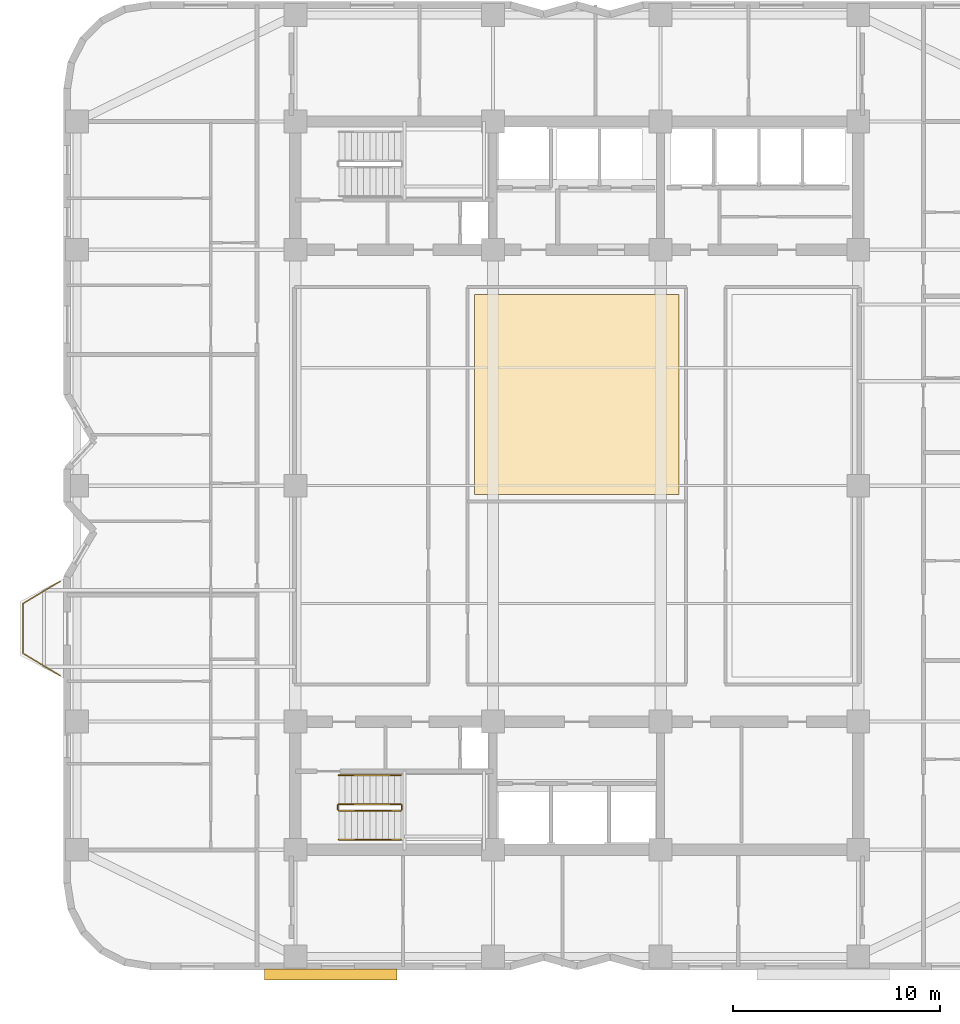
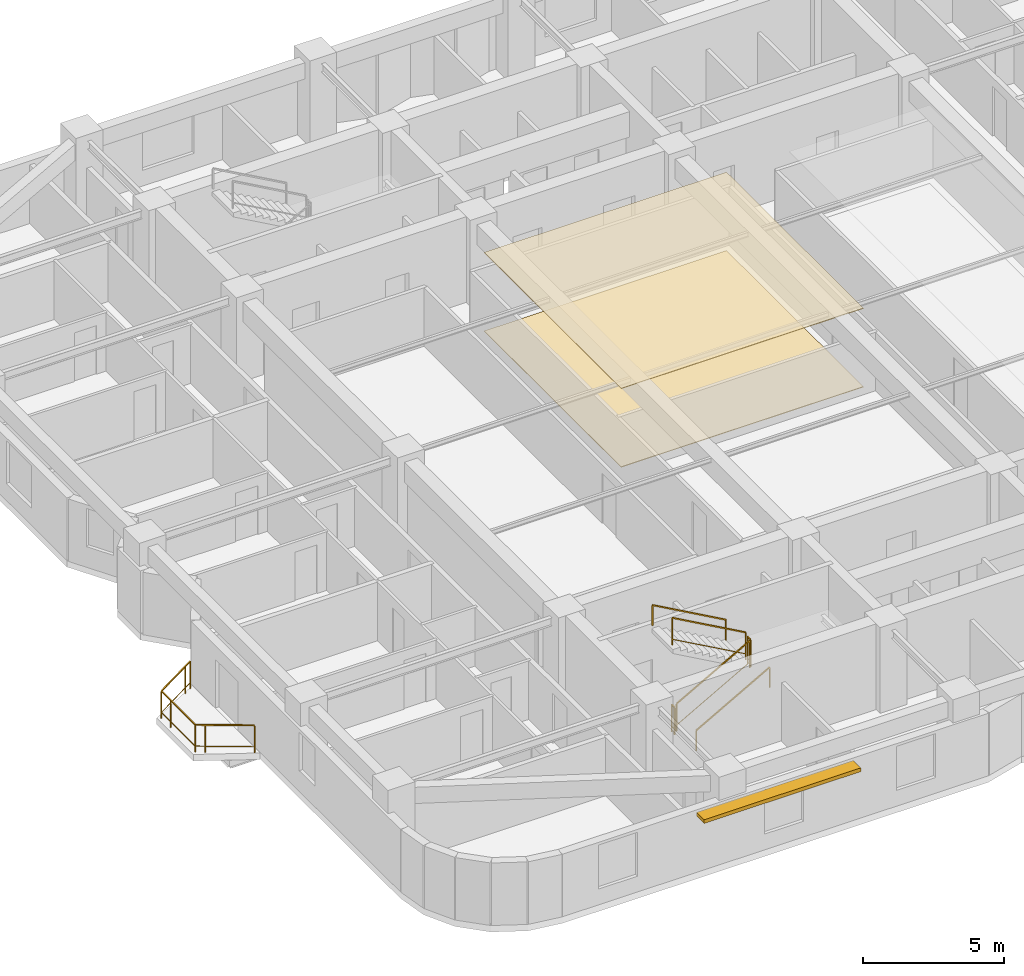
# One storey, part 9 of 11: 7 railings, 2 coverings, 1 shading device.
"""IFC4 building model written with IfcOpenShell, lengths in metres."""

from ifc_helpers import new_model, si_unit, direction, frame, origin, origin_2d, place, context, subcontext, project, spatial, polyline, rectangle, outline, extrude, material, layer, layer_set, type_object, element, save


model = new_model("IFC4")

# Units and contexts
model_context = context("Model", 3, precision=1e-05, world=origin(), true_north=direction((0.0, 1.0)))
body_context = subcontext(model_context, "Body", "Model", "MODEL_VIEW")
ifc_project = project(units=[si_unit("LENGTHUNIT", "METRE"), si_unit("AREAUNIT", "SQUARE_METRE"), si_unit("VOLUMEUNIT", "CUBIC_METRE"), si_unit("PLANEANGLEUNIT", "RADIAN"), si_unit("MASSUNIT", "GRAM", prefix="KILO")], contexts=[model_context])

# Site, building, storey
site_placement = place(None, origin())
site = spatial("IfcSite", under=ifc_project, at=site_placement, CompositionType="ELEMENT")
building_placement = place(site_placement, origin())
building = spatial("IfcBuilding", under=site, at=building_placement, Name="Svetorya Sky Lyceum", CompositionType="ELEMENT")
storey_placement = place(building_placement, frame((0.0, 0.0, 106.800048828125)))
storey = spatial("IfcBuildingStorey", under=building, at=storey_placement, Name="L26", CompositionType="ELEMENT", Elevation=106.800048828125)

# Coverings
ifc_material_1 = material(Name="Fire-retardant birch acoustic slat ceiling")
ifc_layer_1 = layer(ifc_material_1, 0.031982421875)
ifc_layer_set_1 = layer_set([ifc_layer_1], Name="Fire-retardant birch acoustic slat ceiling")
covering_type_1 = type_object("IfcCoveringType", Name="COV-CLG-WD32", PredefinedType="CEILING", material=ifc_layer_set_1)
covering_1_placement = place(storey_placement, frame((0.0, 0.0, 3.387939453125)))
element("IfcCovering", 1, at=covering_1_placement, inside=storey, type_object=covering_type_1, Name="Recreation Hall L26 Island Acoustic Ceiling", PredefinedType="CEILING", context=body_context, shape_type="SweptSolid", body=[
    extrude(outline(polyline([(34.25, 27.764404296875), (44.14990234375, 27.764404296875), (44.14990234375, 37.449951171875), (34.25, 37.449951171875), (34.25, 27.764404296875)])), origin(), (0.0, 0.0, 1.0), 0.031982421875),
])
ifc_material_2 = material(Name="Vitrified porcelain slip-resistant tile flooring")
ifc_layer_2 = layer(ifc_material_2, 0.02587890625)
ifc_layer_set_2 = layer_set([ifc_layer_2], Name="Vitrified porcelain slip-resistant tile flooring")
covering_type_2 = type_object("IfcCoveringType", Name="COV-FLR-POR26", PredefinedType="FLOORING", material=ifc_layer_set_2)
covering_2_placement = place(storey_placement, origin())
element("IfcCovering", 2, at=covering_2_placement, inside=storey, type_object=covering_type_2, Name="Recreation Hall L26 Island Architectural Flooring", PredefinedType="FLOORING", context=body_context, shape_type="SweptSolid", body=[
    extrude(outline(polyline([(34.25, 27.764404296875), (44.14990234375, 27.764404296875), (44.14990234375, 37.449951171875), (34.25, 37.449951171875), (34.25, 27.764404296875)])), origin(), (0.0, 0.0, 1.0), 0.02587890625),
])

# Railings
ifc_material_3 = material(Name="Laminated safety glass and stainless AISI 316", Category="glass")
railing_type_1 = type_object("IfcRailingType", Name="RL-BAL-1200", PredefinedType="BALUSTRADE", material=ifc_material_3)
railing_1_placement = place(storey_placement, frame((14.22998046875, 19.02001953125, 0.0)))
element("IfcRailing", 3, at=railing_1_placement, inside=storey, type_object=railing_type_1, Name="L26 Balcony Balustrade BAL-W1", PredefinedType="BALUSTRADE", context=body_context, shape_type="SweptSolid", body=[
    extrude(rectangle(XDim=0.048095703125, YDim=0.048095703125, at=origin_2d()), frame((0.0, 0.0, 1.17578125), z_axis=(-0.857482663744, 0.514512858321, 0.0), x_axis=(-0.514512858321, -0.857482663744, 0.0)), (0.0, 0.0, 1.0), 2.09912109375),
    extrude(rectangle(XDim=0.02392578125, YDim=0.02392578125, at=origin_2d()), frame((0.0, 0.0, 0.25), z_axis=(-0.857482663744, 0.514512858321, 0.0), x_axis=(-0.514512858321, -0.857482663744, 0.0)), (0.0, 0.0, 1.0), 2.09912109375),
    extrude(rectangle(XDim=0.048095703125, YDim=0.048095703125, at=origin_2d()), frame((-1.800048828125, 1.080078125, 1.17578125), z_axis=(0.0, 1.0, 0.0), x_axis=(-1.0, 0.0, 0.0)), (0.0, 0.0, 1.0), 2.39990234375),
    extrude(rectangle(XDim=0.02392578125, YDim=0.02392578125, at=origin_2d()), frame((-1.800048828125, 1.080078125, 0.25), z_axis=(0.0, 1.0, 0.0), x_axis=(-1.0, 0.0, 0.0)), (0.0, 0.0, 1.0), 2.39990234375),
    extrude(rectangle(XDim=0.048095703125, YDim=0.048095703125, at=origin_2d()), frame((-1.800048828125, 3.47998046875, 1.17578125), z_axis=(0.857482663744, 0.514512858321, 0.0), x_axis=(-0.514512858321, 0.857482663744, 0.0)), (0.0, 0.0, 1.0), 2.09912109375),
    extrude(rectangle(XDim=0.02392578125, YDim=0.02392578125, at=origin_2d()), frame((-1.800048828125, 3.47998046875, 0.25), z_axis=(0.857482663744, 0.514512858321, 0.0), x_axis=(-0.514512858321, 0.857482663744, 0.0)), (0.0, 0.0, 1.0), 2.09912109375),
    extrude(rectangle(XDim=0.0419921875, YDim=0.0419921875, at=origin_2d()), origin(), (0.0, 0.0, 1.0), 1.15185546875),
    extrude(rectangle(XDim=0.0419921875, YDim=0.0419921875, at=origin_2d()), frame((-1.50048828125, 0.900390625, 0.0)), (0.0, 0.0, 1.0), 1.15185546875),
    extrude(rectangle(XDim=0.0419921875, YDim=0.0419921875, at=origin_2d()), frame((-1.800048828125, 1.080078125, 0.0)), (0.0, 0.0, 1.0), 1.15185546875),
    extrude(rectangle(XDim=0.0419921875, YDim=0.0419921875, at=origin_2d()), frame((-1.800048828125, 2.830078125, 0.0)), (0.0, 0.0, 1.0), 1.15185546875),
    extrude(rectangle(XDim=0.0419921875, YDim=0.0419921875, at=origin_2d()), frame((-1.800048828125, 3.47998046875, 0.0)), (0.0, 0.0, 1.0), 1.15185546875),
    extrude(rectangle(XDim=0.0419921875, YDim=0.0419921875, at=origin_2d()), frame((-0.299560546875, 4.38037109375, 0.0)), (0.0, 0.0, 1.0), 1.15185546875),
    extrude(rectangle(XDim=0.0419921875, YDim=0.0419921875, at=origin_2d()), frame((0.0, 4.56005859375, 0.0)), (0.0, 0.0, 1.0), 1.15185546875),
])
ifc_material_4 = material(Name="Painted galvanized stair well guard")
railing_type_2 = type_object("IfcRailingType", Name="RL-STR-GUARD-1200", PredefinedType="GUARDRAIL", material=ifc_material_4)
railing_2_placement = place(storey_placement, frame((27.699951171875, 12.5, 0.168212890625)))
element("IfcRailing", 4, at=railing_2_placement, inside=storey, type_object=railing_type_2, Name="L26 ST-S stair guard 1", PredefinedType="GUARDRAIL", context=body_context, shape_type="SweptSolid", body=[
    extrude(rectangle(XDim=0.048095703125, YDim=0.048095703125, at=origin_2d()), frame((0.0, 0.0, 1.17578125), z_axis=(0.872302573547, 0.0, 0.488966481656), x_axis=(0.0, 1.0, 0.0)), (0.0, 0.0, 1.0), 3.439208984375),
    extrude(rectangle(XDim=0.02392578125, YDim=0.02392578125, at=origin_2d()), frame((0.0, 0.0, 0.25), z_axis=(0.872302573547, 0.0, 0.488966481656), x_axis=(0.0, 1.0, 0.0)), (0.0, 0.0, 1.0), 3.439208984375),
    extrude(rectangle(XDim=0.0419921875, YDim=0.0419921875, at=origin_2d()), origin(), (0.0, 0.0, 1.0), 1.15185546875),
    extrude(rectangle(XDim=0.0419921875, YDim=0.0419921875, at=origin_2d()), frame((3.0, 0.0, 1.681640625)), (0.0, 0.0, 1.0), 1.15185546875),
])
railing_3_placement = place(storey_placement, frame((30.75, 12.550048828125, 1.849853515625)))
element("IfcRailing", 5, at=railing_3_placement, inside=storey, type_object=railing_type_2, Name="L26 ST-S stair guard 2", PredefinedType="GUARDRAIL", context=body_context, shape_type="SweptSolid", body=[
    extrude(rectangle(XDim=0.048095703125, YDim=0.048095703125, at=origin_2d()), frame((0.0, 0.0, 1.17578125), z_axis=(0.0, 1.0, 0.0), x_axis=(-1.0, 0.0, 0.0)), (0.0, 0.0, 1.0), 0.199951171875),
    extrude(rectangle(XDim=0.02392578125, YDim=0.02392578125, at=origin_2d()), frame((0.0, 0.0, 0.25), z_axis=(0.0, 1.0, 0.0), x_axis=(-1.0, 0.0, 0.0)), (0.0, 0.0, 1.0), 0.199951171875),
    extrude(rectangle(XDim=0.0419921875, YDim=0.0419921875, at=origin_2d()), origin(), (0.0, 0.0, 1.0), 1.15185546875),
    extrude(rectangle(XDim=0.0419921875, YDim=0.0419921875, at=origin_2d()), frame((0.0, 0.199951171875, 0.0)), (0.0, 0.0, 1.0), 1.15185546875),
])
railing_4_placement = place(storey_placement, frame((30.699951171875, 12.800048828125, 2.01806640625)))
element("IfcRailing", 6, at=railing_4_placement, inside=storey, type_object=railing_type_2, Name="L26 ST-S stair guard 3", PredefinedType="GUARDRAIL", context=body_context, shape_type="SweptSolid", body=[
    extrude(rectangle(XDim=0.048095703125, YDim=0.048095703125, at=origin_2d()), frame((0.0, 0.0, 1.17578125), z_axis=(-0.872272294576, 0.0, 0.489020494575), x_axis=(0.0, -1.0, 0.0)), (0.0, 0.0, 1.0), 3.439208984375),
    extrude(rectangle(XDim=0.02392578125, YDim=0.02392578125, at=origin_2d()), frame((0.0, 0.0, 0.25), z_axis=(-0.872272294576, 0.0, 0.489020494575), x_axis=(0.0, -1.0, 0.0)), (0.0, 0.0, 1.0), 3.439208984375),
    extrude(rectangle(XDim=0.0419921875, YDim=0.0419921875, at=origin_2d()), origin(), (0.0, 0.0, 1.0), 1.15185546875),
    extrude(rectangle(XDim=0.0419921875, YDim=0.0419921875, at=origin_2d()), frame((-3.0, 0.0, 1.681884765625)), (0.0, 0.0, 1.0), 1.15185546875),
])
railing_5_placement = place(storey_placement, frame((27.64990234375, 12.550048828125, 0.0)))
element("IfcRailing", 7, at=railing_5_placement, inside=storey, type_object=railing_type_2, Name="L26 ST-S stair guard 4", PredefinedType="GUARDRAIL", context=body_context, shape_type="SweptSolid", body=[
    extrude(rectangle(XDim=0.048095703125, YDim=0.048095703125, at=origin_2d()), frame((0.0, 0.0, 1.17578125), z_axis=(0.0, 1.0, 0.0), x_axis=(-1.0, 0.0, 0.0)), (0.0, 0.0, 1.0), 0.199951171875),
    extrude(rectangle(XDim=0.02392578125, YDim=0.02392578125, at=origin_2d()), frame((0.0, 0.0, 0.25), z_axis=(0.0, 1.0, 0.0), x_axis=(-1.0, 0.0, 0.0)), (0.0, 0.0, 1.0), 0.199951171875),
    extrude(rectangle(XDim=0.0419921875, YDim=0.0419921875, at=origin_2d()), origin(), (0.0, 0.0, 1.0), 1.15185546875),
    extrude(rectangle(XDim=0.0419921875, YDim=0.0419921875, at=origin_2d()), frame((0.0, 0.199951171875, 0.0)), (0.0, 0.0, 1.0), 1.15185546875),
])
ifc_material_5 = material(Name="Brushed stainless AISI 304 stair handrail")
railing_type_3 = type_object("IfcRailingType", Name="RL-STR-HAND-920", PredefinedType="HANDRAIL", material=ifc_material_5)
railing_6_placement = place(storey_placement, frame((27.699951171875, 11.10009765625, 0.168212890625)))
element("IfcRailing", 8, at=railing_6_placement, inside=storey, type_object=railing_type_3, Name="L26 ST-S stair handrail 1", PredefinedType="HANDRAIL", context=body_context, shape_type="SweptSolid", body=[
    extrude(rectangle(XDim=0.048095703125, YDim=0.048095703125, at=origin_2d()), frame((0.0, 0.0, 0.8759765625), z_axis=(0.872302573547, 0.0, 0.488966481656), x_axis=(0.0, 1.0, 0.0)), (0.0, 0.0, 1.0), 3.439208984375),
    extrude(rectangle(XDim=0.0419921875, YDim=0.0419921875, at=origin_2d()), origin(), (0.0, 0.0, 1.0), 0.851806640625),
    extrude(rectangle(XDim=0.0419921875, YDim=0.0419921875, at=origin_2d()), frame((3.0, 0.0, 1.681640625)), (0.0, 0.0, 1.0), 0.851806640625),
])
railing_7_placement = place(storey_placement, frame((30.699951171875, 14.199951171875, 2.01806640625)))
element("IfcRailing", 9, at=railing_7_placement, inside=storey, type_object=railing_type_3, Name="L26 ST-S stair handrail 2", PredefinedType="HANDRAIL", context=body_context, shape_type="SweptSolid", body=[
    extrude(rectangle(XDim=0.048095703125, YDim=0.048095703125, at=origin_2d()), frame((0.0, 0.0, 0.8759765625), z_axis=(-0.872272294576, 0.0, 0.489020494575), x_axis=(0.0, -1.0, 0.0)), (0.0, 0.0, 1.0), 3.439208984375),
    extrude(rectangle(XDim=0.0419921875, YDim=0.0419921875, at=origin_2d()), origin(), (0.0, 0.0, 1.0), 0.851806640625),
    extrude(rectangle(XDim=0.0419921875, YDim=0.0419921875, at=origin_2d()), frame((-3.0, 0.0, 1.681884765625)), (0.0, 0.0, 1.0), 0.851806640625),
])

# Shading device
ifc_material_6 = material(Name="Champagne-anodized extruded aluminium sunshade", Category="aluminium")
ifc_layer_3 = layer(ifc_material_6, 0.159912109375)
ifc_layer_set_3 = layer_set([ifc_layer_3], Name="Champagne-anodized extruded aluminium sunshade")
shading_device_type = type_object("IfcShadingDeviceType", Name="SHD-LVR-540", PredefinedType="AWNING", material=ifc_layer_set_3)
shading_device_placement = place(storey_placement, frame((27.300048828125, 4.580078125, 2.39990234375), z_axis=(0.0, 0.0, 1.0), x_axis=(1.0, 0.0, 0.0)))
element("IfcShadingDevice", 10, at=shading_device_placement, inside=storey, type_object=shading_device_type, Name="L26 Solar Brise-Soleil SHD-1.6M", PredefinedType="AWNING", context=body_context, shape_type="SweptSolid", body=[
    extrude(rectangle(XDim=6.39990234375, YDim=0.5400390625, at=origin_2d()), origin(), (0.0, 0.0, 1.0), 0.159912109375),
])

save(model, "model.ifc")
